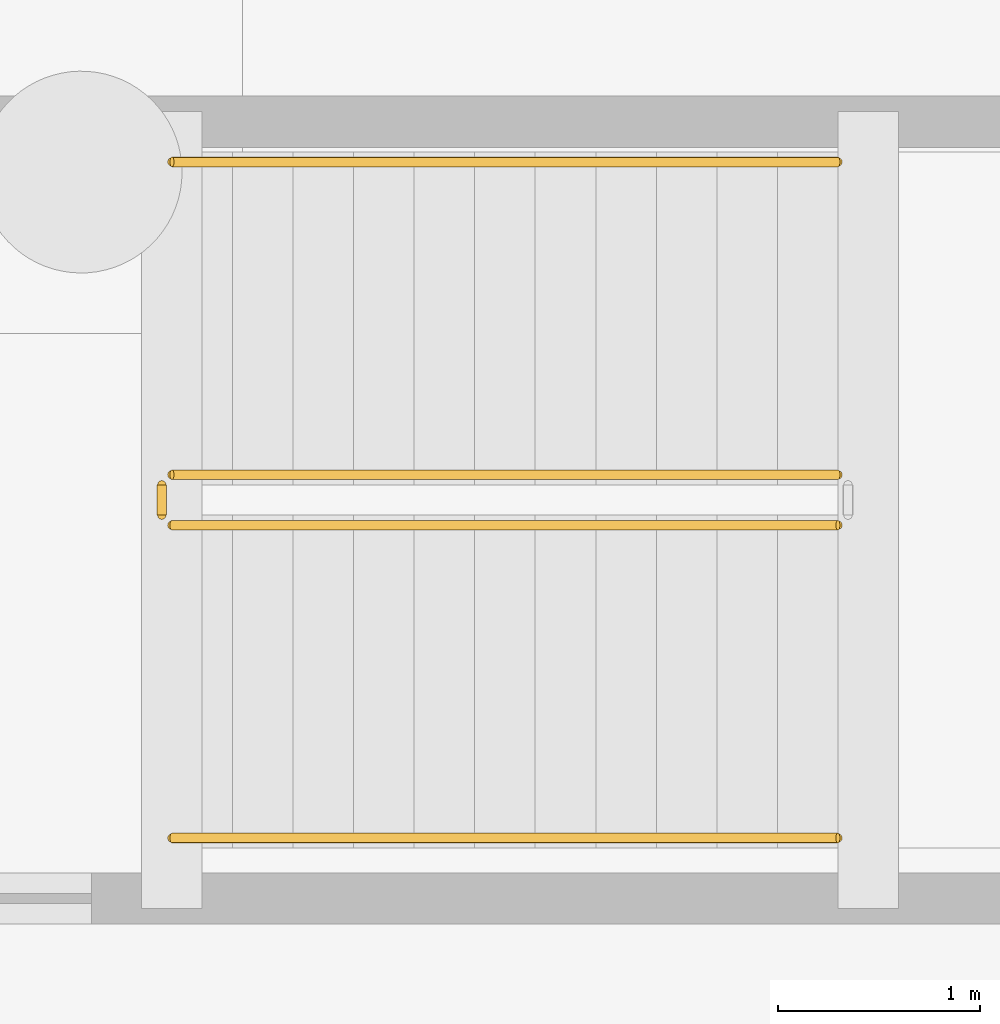
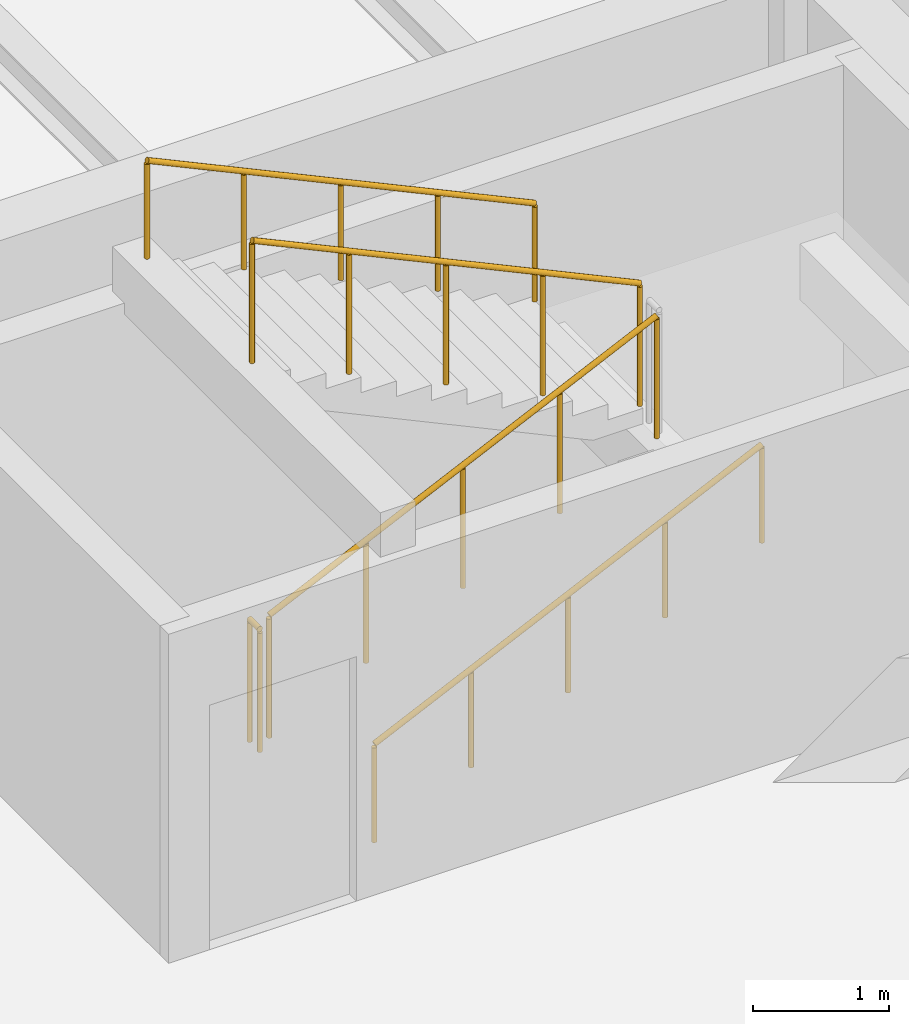
# One storey, part 58 of 70: 5 railings.
"""IFC4 building model written with IfcOpenShell, lengths in metres."""

from ifc_helpers import new_model, si_unit, direction, frame, origin, origin_2d, place, context, subcontext, project, spatial, circle, extrude, material, type_object, element, save


model = new_model("IFC4")

# Units and contexts
model_context = context("Model", 3, precision=1e-05, world=origin(), true_north=direction((0.0, 1.0)))
body_context = subcontext(model_context, "Body", "Model", "MODEL_VIEW")
ifc_project = project(units=[si_unit("LENGTHUNIT", "METRE"), si_unit("AREAUNIT", "SQUARE_METRE"), si_unit("VOLUMEUNIT", "CUBIC_METRE"), si_unit("PLANEANGLEUNIT", "RADIAN"), si_unit("MASSUNIT", "GRAM", prefix="KILO")], contexts=[model_context])

# Site, building, storey
site_placement = place(None, origin())
site = spatial("IfcSite", under=ifc_project, at=site_placement, CompositionType="ELEMENT")
building_placement = place(site_placement, origin())
building = spatial("IfcBuilding", under=site, at=building_placement, Name="Cumbredor Promenade Congress Hotel", CompositionType="ELEMENT")
storey_placement = place(building_placement, frame((0.0, 0.0, -7.56005859375)))
storey = spatial("IfcBuildingStorey", under=building, at=storey_placement, Name="B02", CompositionType="ELEMENT", Elevation=-7.56005859375)

# Railings
ifc_material = material(Name="Brushed stainless steel", Category="steel")
railing_type_1 = type_object("IfcRailingType", Name="Interior Void & Stair Guardrail GR-1100", PredefinedType="GUARDRAIL", material=ifc_material)
railing_1_placement = place(storey_placement, frame((60.75, 63.949951171875, 0.14013671875)))
element("IfcRailing", 1, at=railing_1_placement, inside=storey, type_object=railing_type_1, Name="B02 ST-07 stair guard 1", PredefinedType="GUARDRAIL", context=body_context, shape_type="SweptSolid", body=[
    extrude(circle(Radius=0.02392578125, at=origin_2d()), frame((0.0, 0.0, 1.09619140625), z_axis=(0.906181427284, 0.0, 0.422889135408), x_axis=(0.0, 1.0, 0.0)), (0.0, 0.0, 1.0), 3.6416015625),
    extrude(circle(Radius=0.02099609375, at=origin_2d()), origin(), (0.0, 0.0, 1.0), 1.072021484375),
    extrude(circle(Radius=0.02099609375, at=origin_2d()), frame((0.824951171875, 0.0, 0.385009765625)), (0.0, 0.0, 1.0), 1.072021484375),
    extrude(circle(Radius=0.02099609375, at=origin_2d()), frame((1.64990234375, 0.0, 0.77001953125)), (0.0, 0.0, 1.0), 1.072021484375),
    extrude(circle(Radius=0.02099609375, at=origin_2d()), frame((2.47509765625, 0.0, 1.155029296875)), (0.0, 0.0, 1.0), 1.072021484375),
    extrude(circle(Radius=0.02099609375, at=origin_2d()), frame((3.300048828125, 0.0, 1.5400390625)), (0.0, 0.0, 1.0), 1.072021484375),
])
railing_2_placement = place(storey_placement, frame((64.050048828125, 64.199951171875, 1.820068359375)))
element("IfcRailing", 2, at=railing_2_placement, inside=storey, type_object=railing_type_1, Name="B02 ST-07 stair guard 3", PredefinedType="GUARDRAIL", context=body_context, shape_type="SweptSolid", body=[
    extrude(circle(Radius=0.02392578125, at=origin_2d()), frame((0.0, 0.0, 1.09619140625), z_axis=(-0.906181427284, 0.0, 0.422889135408), x_axis=(0.0, -1.0, 0.0)), (0.0, 0.0, 1.0), 3.6416015625),
    extrude(circle(Radius=0.02099609375, at=origin_2d()), origin(), (0.0, 0.0, 1.0), 1.072021484375),
    extrude(circle(Radius=0.02099609375, at=origin_2d()), frame((-0.824951171875, 0.0, 0.385009765625)), (0.0, 0.0, 1.0), 1.072021484375),
    extrude(circle(Radius=0.02099609375, at=origin_2d()), frame((-1.64990234375, 0.0, 0.77001953125)), (0.0, 0.0, 1.0), 1.072021484375),
    extrude(circle(Radius=0.02099609375, at=origin_2d()), frame((-2.47509765625, 0.0, 1.155029296875)), (0.0, 0.0, 1.0), 1.072021484375),
    extrude(circle(Radius=0.02099609375, at=origin_2d()), frame((-3.300048828125, 0.0, 1.5400390625)), (0.0, 0.0, 1.0), 1.072021484375),
])
railing_3_placement = place(storey_placement, frame((60.699951171875, 64.0, 0.0)))
element("IfcRailing", 3, at=railing_3_placement, inside=storey, type_object=railing_type_1, Name="B02 ST-07 stair guard 4", PredefinedType="GUARDRAIL", context=body_context, shape_type="SweptSolid", body=[
    extrude(circle(Radius=0.02392578125, at=origin_2d()), frame((0.0, 0.0, 1.09619140625), z_axis=(0.0, 1.0, 0.0), x_axis=(-1.0, 0.0, 0.0)), (0.0, 0.0, 1.0), 0.14990234375),
    extrude(circle(Radius=0.02099609375, at=origin_2d()), origin(), (0.0, 0.0, 1.0), 1.072021484375),
    extrude(circle(Radius=0.02099609375, at=origin_2d()), frame((0.0, 0.14990234375, 0.0)), (0.0, 0.0, 1.0), 1.072021484375),
])
railing_type_2 = type_object("IfcRailingType", Name="Stair Pitch Handrail HR-900", PredefinedType="HANDRAIL", material=ifc_material)
railing_4_placement = place(storey_placement, frame((60.75, 62.39990234375, 0.14013671875)))
element("IfcRailing", 4, at=railing_4_placement, inside=storey, type_object=railing_type_2, Name="B02 ST-07 stair handrail 1", PredefinedType="HANDRAIL", context=body_context, shape_type="SweptSolid", body=[
    extrude(circle(Radius=0.02392578125, at=origin_2d()), frame((0.0, 0.0, 0.8759765625), z_axis=(0.906181427284, 0.0, 0.422889135408), x_axis=(0.0, 1.0, 0.0)), (0.0, 0.0, 1.0), 3.6416015625),
    extrude(circle(Radius=0.02099609375, at=origin_2d()), origin(), (0.0, 0.0, 1.0), 0.851806640625),
    extrude(circle(Radius=0.02099609375, at=origin_2d()), frame((0.824951171875, 0.0, 0.385009765625)), (0.0, 0.0, 1.0), 0.851806640625),
    extrude(circle(Radius=0.02099609375, at=origin_2d()), frame((1.64990234375, 0.0, 0.77001953125)), (0.0, 0.0, 1.0), 0.851806640625),
    extrude(circle(Radius=0.02099609375, at=origin_2d()), frame((2.47509765625, 0.0, 1.155029296875)), (0.0, 0.0, 1.0), 0.851806640625),
    extrude(circle(Radius=0.02099609375, at=origin_2d()), frame((3.300048828125, 0.0, 1.5400390625)), (0.0, 0.0, 1.0), 0.851806640625),
])
railing_5_placement = place(storey_placement, frame((64.050048828125, 65.75, 1.820068359375)))
element("IfcRailing", 5, at=railing_5_placement, inside=storey, type_object=railing_type_2, Name="B02 ST-07 stair handrail 2", PredefinedType="HANDRAIL", context=body_context, shape_type="SweptSolid", body=[
    extrude(circle(Radius=0.02392578125, at=origin_2d()), frame((0.0, 0.0, 0.8759765625), z_axis=(-0.906181427284, 0.0, 0.422889135408), x_axis=(0.0, -1.0, 0.0)), (0.0, 0.0, 1.0), 3.6416015625),
    extrude(circle(Radius=0.02099609375, at=origin_2d()), origin(), (0.0, 0.0, 1.0), 0.851806640625),
    extrude(circle(Radius=0.02099609375, at=origin_2d()), frame((-0.824951171875, 0.0, 0.385009765625)), (0.0, 0.0, 1.0), 0.851806640625),
    extrude(circle(Radius=0.02099609375, at=origin_2d()), frame((-1.64990234375, 0.0, 0.77001953125)), (0.0, 0.0, 1.0), 0.851806640625),
    extrude(circle(Radius=0.02099609375, at=origin_2d()), frame((-2.47509765625, 0.0, 1.155029296875)), (0.0, 0.0, 1.0), 0.851806640625),
    extrude(circle(Radius=0.02099609375, at=origin_2d()), frame((-3.300048828125, 0.0, 1.5400390625)), (0.0, 0.0, 1.0), 0.851806640625),
])

save(model, "model.ifc")
